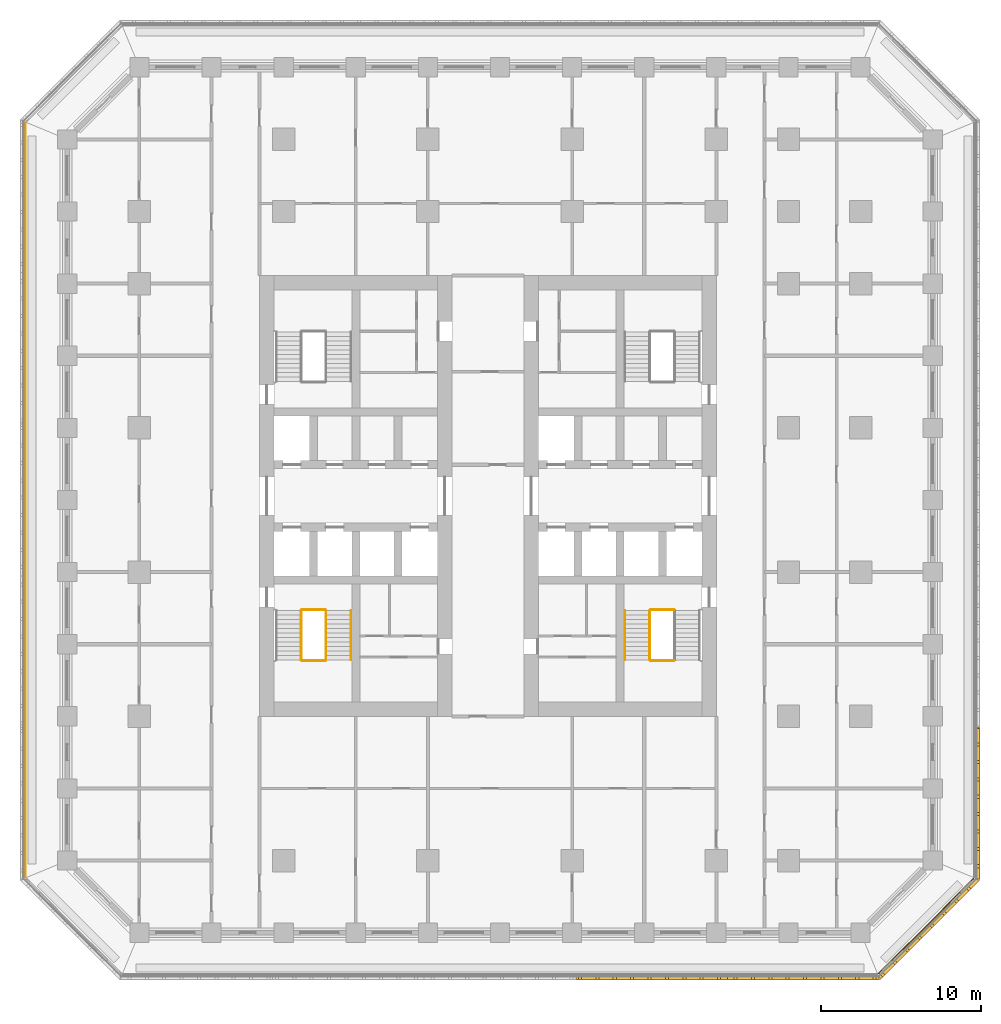
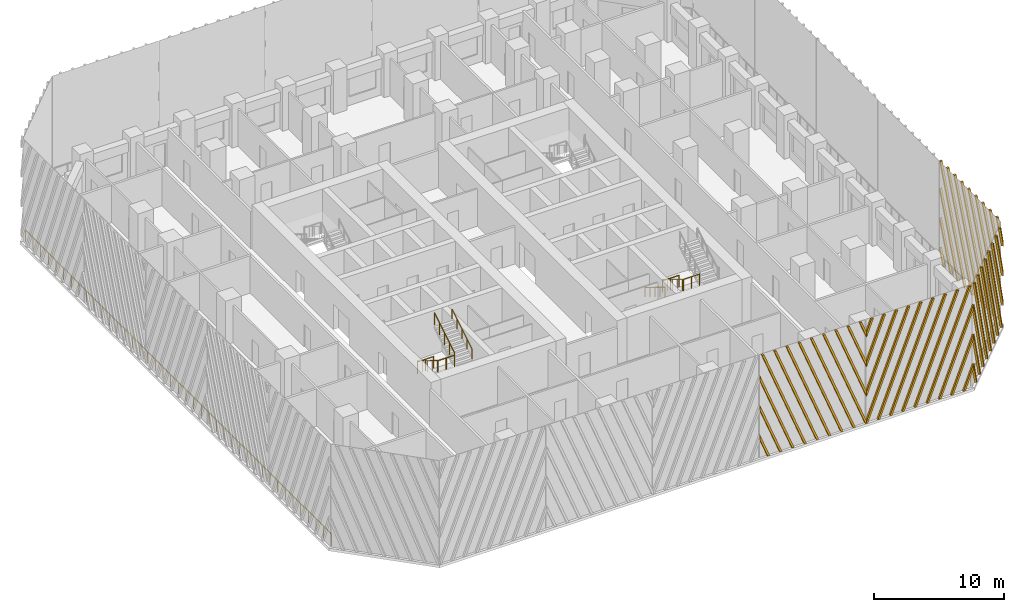
# One storey, part 13 of 20: 11 railings, 4 shading devices.
"""IFC4 building model written with IfcOpenShell, lengths in metres."""

from ifc_helpers import new_model, si_unit, direction, frame, origin, origin_2d, place, context, subcontext, project, spatial, polyline, circle, outline, extrude, source, transform, mapped, material, type_object, element, save


model = new_model("IFC4")

# Units and contexts
model_context = context("Model", 3, precision=1e-05, world=origin(), true_north=direction((0.0, 1.0)))
body_context = subcontext(model_context, "Body", "Model", "MODEL_VIEW")
ifc_project = project(units=[si_unit("LENGTHUNIT", "METRE"), si_unit("AREAUNIT", "SQUARE_METRE"), si_unit("VOLUMEUNIT", "CUBIC_METRE"), si_unit("PLANEANGLEUNIT", "RADIAN"), si_unit("MASSUNIT", "GRAM", prefix="KILO")], contexts=[model_context])

# Site, building, storey
site_placement = place(None, origin())
site = spatial("IfcSite", under=ifc_project, at=site_placement, CompositionType="ELEMENT")
building_placement = place(site_placement, origin())
building = spatial("IfcBuilding", under=site, at=building_placement, Name="Corbel Stack Research Tower", CompositionType="ELEMENT")
storey_placement = place(building_placement, frame((0.0, 0.0, 106.60009765625)))
storey = spatial("IfcBuildingStorey", under=building, at=storey_placement, Name="L24", CompositionType="ELEMENT", Elevation=106.60009765625)

# Railings
ifc_material_1 = material(Name="Steel S355", Category="steel")
railing_type_1 = type_object("IfcRailingType", Name="Stair guard 1100", PredefinedType="GUARDRAIL", material=ifc_material_1)
railing_1_placement = place(storey_placement, frame((-7.89990234375, -2.39990234375, 0.170654296875)))
element("IfcRailing", 1, at=railing_1_placement, inside=storey, type_object=railing_type_1, Name="L24 ST-W1 stair guard 1", PredefinedType="GUARDRAIL", context=body_context, shape_type="SweptSolid", body=[
    extrude(circle(Radius=0.02392578125, at=origin_2d()), frame((0.0, 0.0, 1.076171875), z_axis=(0.0, -0.853666305674, 0.52082035152), x_axis=(1.0, 0.0, 0.0)), (0.0, 0.0, 1.0), 3.608154296875),
    extrude(circle(Radius=0.02099609375, at=origin_2d()), origin(), (0.0, 0.0, 1.0), 1.052001953125),
    extrude(circle(Radius=0.02099609375, at=origin_2d()), frame((0.0, -0.77001953125, 0.4697265625)), (0.0, 0.0, 1.0), 1.052001953125),
    extrude(circle(Radius=0.02099609375, at=origin_2d()), frame((0.0, -1.5400390625, 0.939453125)), (0.0, 0.0, 1.0), 1.052001953125),
    extrude(circle(Radius=0.02099609375, at=origin_2d()), frame((0.0, -2.31005859375, 1.409423828125)), (0.0, 0.0, 1.0), 1.052001953125),
    extrude(circle(Radius=0.02099609375, at=origin_2d()), frame((0.0, -3.080078125, 1.879150390625)), (0.0, 0.0, 1.0), 1.052001953125),
])
railing_2_placement = place(storey_placement, frame((-7.85009765625, -5.530029296875, 2.0498046875)))
element("IfcRailing", 2, at=railing_2_placement, inside=storey, type_object=railing_type_1, Name="L24 ST-W1 stair guard 2", PredefinedType="GUARDRAIL", context=body_context, shape_type="SweptSolid", body=[
    extrude(circle(Radius=0.02392578125, at=origin_2d()), frame((0.0, 0.0, 1.076171875), z_axis=(1.0, 0.0, 0.0), x_axis=(0.0, 1.0, 0.0)), (0.0, 0.0, 1.0), 1.4501953125),
    extrude(circle(Radius=0.02099609375, at=origin_2d()), origin(), (0.0, 0.0, 1.0), 1.052001953125),
    extrude(circle(Radius=0.02099609375, at=origin_2d()), frame((0.72509765625, 0.0, 0.0)), (0.0, 0.0, 1.0), 1.052001953125),
    extrude(circle(Radius=0.02099609375, at=origin_2d()), frame((1.4501953125, 0.0, 0.0)), (0.0, 0.0, 1.0), 1.052001953125),
])
railing_3_placement = place(storey_placement, frame((-6.35009765625, -5.47998046875, 2.220703125)))
element("IfcRailing", 3, at=railing_3_placement, inside=storey, type_object=railing_type_1, Name="L24 ST-W1 stair guard 4", PredefinedType="GUARDRAIL", context=body_context, shape_type="SweptSolid", body=[
    extrude(circle(Radius=0.02392578125, at=origin_2d()), frame((0.0, 0.0, 1.076171875), z_axis=(0.0, 0.853666305674, 0.52082035152), x_axis=(-1.0, 0.0, 0.0)), (0.0, 0.0, 1.0), 3.608154296875),
    extrude(circle(Radius=0.02099609375, at=origin_2d()), origin(), (0.0, 0.0, 1.0), 1.052001953125),
    extrude(circle(Radius=0.02099609375, at=origin_2d()), frame((0.0, 0.77001953125, 0.4697265625)), (0.0, 0.0, 1.0), 1.052001953125),
    extrude(circle(Radius=0.02099609375, at=origin_2d()), frame((0.0, 1.5400390625, 0.939453125)), (0.0, 0.0, 1.0), 1.052001953125),
    extrude(circle(Radius=0.02099609375, at=origin_2d()), frame((0.0, 2.31005859375, 1.409423828125)), (0.0, 0.0, 1.0), 1.052001953125),
    extrude(circle(Radius=0.02099609375, at=origin_2d()), frame((0.0, 3.080078125, 1.879150390625)), (0.0, 0.0, 1.0), 1.052001953125),
])
railing_4_placement = place(storey_placement, frame((-7.85009765625, -2.35009765625, 0.0)))
element("IfcRailing", 4, at=railing_4_placement, inside=storey, type_object=railing_type_1, Name="L24 ST-W1 stair guard 5", PredefinedType="GUARDRAIL", context=body_context, shape_type="SweptSolid", body=[
    extrude(circle(Radius=0.02392578125, at=origin_2d()), frame((0.0, 0.0, 1.076171875), z_axis=(1.0, 0.0, 0.0), x_axis=(0.0, 1.0, 0.0)), (0.0, 0.0, 1.0), 1.4501953125),
    extrude(circle(Radius=0.02099609375, at=origin_2d()), origin(), (0.0, 0.0, 1.0), 1.052001953125),
    extrude(circle(Radius=0.02099609375, at=origin_2d()), frame((0.72509765625, 0.0, 0.0)), (0.0, 0.0, 1.0), 1.052001953125),
    extrude(circle(Radius=0.02099609375, at=origin_2d()), frame((1.4501953125, 0.0, 0.0)), (0.0, 0.0, 1.0), 1.052001953125),
])
railing_5_placement = place(storey_placement, frame((13.85009765625, -2.39990234375, 0.170654296875)))
element("IfcRailing", 5, at=railing_5_placement, inside=storey, type_object=railing_type_1, Name="L24 ST-E1 stair guard 1", PredefinedType="GUARDRAIL", context=body_context, shape_type="SweptSolid", body=[
    extrude(circle(Radius=0.02392578125, at=origin_2d()), frame((0.0, 0.0, 1.076171875), z_axis=(0.0, -0.853666305674, 0.52082035152), x_axis=(1.0, 0.0, 0.0)), (0.0, 0.0, 1.0), 3.608154296875),
    extrude(circle(Radius=0.02099609375, at=origin_2d()), origin(), (0.0, 0.0, 1.0), 1.052001953125),
    extrude(circle(Radius=0.02099609375, at=origin_2d()), frame((0.0, -0.77001953125, 0.4697265625)), (0.0, 0.0, 1.0), 1.052001953125),
    extrude(circle(Radius=0.02099609375, at=origin_2d()), frame((0.0, -1.5400390625, 0.939453125)), (0.0, 0.0, 1.0), 1.052001953125),
    extrude(circle(Radius=0.02099609375, at=origin_2d()), frame((0.0, -2.31005859375, 1.409423828125)), (0.0, 0.0, 1.0), 1.052001953125),
    extrude(circle(Radius=0.02099609375, at=origin_2d()), frame((0.0, -3.080078125, 1.879150390625)), (0.0, 0.0, 1.0), 1.052001953125),
])
for number, where, name in (
    (6, (13.89990234375, -5.530029296875, 2.0498046875), "L24 ST-E1 stair guard 2"),
    (7, (13.89990234375, -2.35009765625, 0.0), "L24 ST-E1 stair guard 5"),
):
    element("IfcRailing", number, at=place(storey_placement, frame(where)), inside=storey, type_object=railing_type_1, Name=name, PredefinedType="GUARDRAIL", context=body_context, shape_type="SweptSolid", body=[
        extrude(circle(Radius=0.02392578125, at=origin_2d()), frame((0.0, 0.0, 1.076171875), z_axis=(1.0, 0.0, 0.0), x_axis=(0.0, 1.0, 0.0)), (0.0, 0.0, 1.0), 1.4501953125),
        extrude(circle(Radius=0.02099609375, at=origin_2d()), origin(), (0.0, 0.0, 1.0), 1.052001953125),
        extrude(circle(Radius=0.02099609375, at=origin_2d()), frame((0.72509765625, 0.0, 0.0)), (0.0, 0.0, 1.0), 1.052001953125),
        extrude(circle(Radius=0.02099609375, at=origin_2d()), frame((1.4501953125, 0.0, 0.0)), (0.0, 0.0, 1.0), 1.052001953125),
    ])
ifc_material_2 = material(Name="Steel S355", Category="steel")
railing_type_2 = type_object("IfcRailingType", Name="Stair handrail 900", PredefinedType="HANDRAIL", material=ifc_material_2)
railing_6_placement = place(storey_placement, frame((-4.800048828125, -5.47998046875, 2.220703125)))
element("IfcRailing", 8, at=railing_6_placement, inside=storey, type_object=railing_type_2, Name="L24 ST-W1 stair handrail 2", PredefinedType="HANDRAIL", context=body_context, shape_type="SweptSolid", body=[
    extrude(circle(Radius=0.02392578125, at=origin_2d()), frame((0.0, 0.0, 0.8759765625), z_axis=(0.0, 0.853666305674, 0.52082035152), x_axis=(-1.0, 0.0, 0.0)), (0.0, 0.0, 1.0), 3.608154296875),
    extrude(circle(Radius=0.02099609375, at=origin_2d()), origin(), (0.0, 0.0, 1.0), 0.851806640625),
    extrude(circle(Radius=0.02099609375, at=origin_2d()), frame((0.0, 0.77001953125, 0.4697265625)), (0.0, 0.0, 1.0), 0.851806640625),
    extrude(circle(Radius=0.02099609375, at=origin_2d()), frame((0.0, 1.5400390625, 0.939453125)), (0.0, 0.0, 1.0), 0.851806640625),
    extrude(circle(Radius=0.02099609375, at=origin_2d()), frame((0.0, 2.31005859375, 1.409423828125)), (0.0, 0.0, 1.0), 0.851806640625),
    extrude(circle(Radius=0.02099609375, at=origin_2d()), frame((0.0, 3.080078125, 1.879150390625)), (0.0, 0.0, 1.0), 0.851806640625),
])
railing_7_placement = place(storey_placement, frame((12.300048828125, -2.39990234375, 0.170654296875)))
element("IfcRailing", 9, at=railing_7_placement, inside=storey, type_object=railing_type_2, Name="L24 ST-E1 stair handrail 1", PredefinedType="HANDRAIL", context=body_context, shape_type="SweptSolid", body=[
    extrude(circle(Radius=0.02392578125, at=origin_2d()), frame((0.0, 0.0, 0.8759765625), z_axis=(0.0, -0.853666305674, 0.52082035152), x_axis=(1.0, 0.0, 0.0)), (0.0, 0.0, 1.0), 3.608154296875),
    extrude(circle(Radius=0.02099609375, at=origin_2d()), origin(), (0.0, 0.0, 1.0), 0.851806640625),
    extrude(circle(Radius=0.02099609375, at=origin_2d()), frame((0.0, -0.77001953125, 0.4697265625)), (0.0, 0.0, 1.0), 0.851806640625),
    extrude(circle(Radius=0.02099609375, at=origin_2d()), frame((0.0, -1.5400390625, 0.939453125)), (0.0, 0.0, 1.0), 0.851806640625),
    extrude(circle(Radius=0.02099609375, at=origin_2d()), frame((0.0, -2.31005859375, 1.409423828125)), (0.0, 0.0, 1.0), 0.851806640625),
    extrude(circle(Radius=0.02099609375, at=origin_2d()), frame((0.0, -3.080078125, 1.879150390625)), (0.0, 0.0, 1.0), 0.851806640625),
])
ifc_material_3 = material(Name="Powder-coated steel guard", Category="steel")
railing_type_3 = type_object("IfcRailingType", Name="Steel and glass guard 1100", PredefinedType="GUARDRAIL", material=ifc_material_3)
railing_8_placement = place(storey_placement, frame((28.127685546875, -25.04931640625, 0.0)))
element("IfcRailing", 10, at=railing_8_placement, inside=storey, type_object=railing_type_3, Name="Loggia guard L24 SE", PredefinedType="GUARDRAIL", context=body_context, shape_type="SweptSolid", body=[
    extrude(circle(Radius=0.02392578125, at=origin_2d()), frame((0.0, 0.0, 1.076171875), z_axis=(0.707106781187, 0.707106781187, 0.0), x_axis=(-0.707106781187, 0.707106781187, 0.0)), (0.0, 0.0, 1.0), 8.37451171875),
    extrude(circle(Radius=0.02099609375, at=origin_2d()), origin(), (0.0, 0.0, 1.0), 1.052001953125),
    extrude(circle(Radius=0.02099609375, at=origin_2d()), frame((0.845947265625, 0.845947265625, 0.0)), (0.0, 0.0, 1.0), 1.052001953125),
    extrude(circle(Radius=0.02099609375, at=origin_2d()), frame((1.69189453125, 1.69189453125, 0.0)), (0.0, 0.0, 1.0), 1.052001953125),
    extrude(circle(Radius=0.02099609375, at=origin_2d()), frame((2.537841796875, 2.537841796875, 0.0)), (0.0, 0.0, 1.0), 1.052001953125),
    extrude(circle(Radius=0.02099609375, at=origin_2d()), frame((3.3837890625, 3.3837890625, 0.0)), (0.0, 0.0, 1.0), 1.052001953125),
    extrude(circle(Radius=0.02099609375, at=origin_2d()), frame((4.229736328125, 4.229736328125, 0.0)), (0.0, 0.0, 1.0), 1.052001953125),
    extrude(circle(Radius=0.02099609375, at=origin_2d()), frame((5.07568359375, 5.07568359375, 0.0)), (0.0, 0.0, 1.0), 1.052001953125),
    extrude(circle(Radius=0.02099609375, at=origin_2d()), frame((5.921630859375, 5.921630859375, 0.0)), (0.0, 0.0, 1.0), 1.052001953125),
])
railing_9_placement = place(storey_placement, frame((-25.10009765625, 28.00537109375, 0.0)))
element("IfcRailing", 11, at=railing_9_placement, inside=storey, type_object=railing_type_3, Name="Loggia guard L24 W", PredefinedType="GUARDRAIL", context=body_context, shape_type="SweptSolid", body=[
    extrude(circle(Radius=0.02392578125, at=origin_2d()), frame((0.0, 0.0, 1.076171875), z_axis=(0.0, -1.0, 0.0), x_axis=(1.0, 0.0, 0.0)), (0.0, 0.0, 1.0), 47.0107421875),
    extrude(circle(Radius=0.02099609375, at=origin_2d()), origin(), (0.0, 0.0, 1.0), 1.052001953125),
    extrude(circle(Radius=0.02099609375, at=origin_2d()), frame((0.0, -1.17529296875, 0.0)), (0.0, 0.0, 1.0), 1.052001953125),
    extrude(circle(Radius=0.02099609375, at=origin_2d()), frame((0.0, -2.3505859375, 0.0)), (0.0, 0.0, 1.0), 1.052001953125),
    extrude(circle(Radius=0.02099609375, at=origin_2d()), frame((0.0, -3.52587890625, 0.0)), (0.0, 0.0, 1.0), 1.052001953125),
    extrude(circle(Radius=0.02099609375, at=origin_2d()), frame((0.0, -4.701171875, 0.0)), (0.0, 0.0, 1.0), 1.052001953125),
    extrude(circle(Radius=0.02099609375, at=origin_2d()), frame((0.0, -5.87646484375, 0.0)), (0.0, 0.0, 1.0), 1.052001953125),
    extrude(circle(Radius=0.02099609375, at=origin_2d()), frame((0.0, -7.051513671875, 0.0)), (0.0, 0.0, 1.0), 1.052001953125),
    extrude(circle(Radius=0.02099609375, at=origin_2d()), frame((0.0, -8.226806640625, 0.0)), (0.0, 0.0, 1.0), 1.052001953125),
    extrude(circle(Radius=0.02099609375, at=origin_2d()), frame((0.0, -9.402099609375, 0.0)), (0.0, 0.0, 1.0), 1.052001953125),
    extrude(circle(Radius=0.02099609375, at=origin_2d()), frame((0.0, -10.577392578125, 0.0)), (0.0, 0.0, 1.0), 1.052001953125),
    extrude(circle(Radius=0.02099609375, at=origin_2d()), frame((0.0, -11.752685546875, 0.0)), (0.0, 0.0, 1.0), 1.052001953125),
    extrude(circle(Radius=0.02099609375, at=origin_2d()), frame((0.0, -12.927978515625, 0.0)), (0.0, 0.0, 1.0), 1.052001953125),
    extrude(circle(Radius=0.02099609375, at=origin_2d()), frame((0.0, -14.103271484375, 0.0)), (0.0, 0.0, 1.0), 1.052001953125),
    extrude(circle(Radius=0.02099609375, at=origin_2d()), frame((0.0, -15.278564453125, 0.0)), (0.0, 0.0, 1.0), 1.052001953125),
    extrude(circle(Radius=0.02099609375, at=origin_2d()), frame((0.0, -16.453857421875, 0.0)), (0.0, 0.0, 1.0), 1.052001953125),
    extrude(circle(Radius=0.02099609375, at=origin_2d()), frame((0.0, -17.62890625, 0.0)), (0.0, 0.0, 1.0), 1.052001953125),
    extrude(circle(Radius=0.02099609375, at=origin_2d()), frame((0.0, -18.80419921875, 0.0)), (0.0, 0.0, 1.0), 1.052001953125),
    extrude(circle(Radius=0.02099609375, at=origin_2d()), frame((0.0, -19.9794921875, 0.0)), (0.0, 0.0, 1.0), 1.052001953125),
    extrude(circle(Radius=0.02099609375, at=origin_2d()), frame((0.0, -21.15478515625, 0.0)), (0.0, 0.0, 1.0), 1.052001953125),
    extrude(circle(Radius=0.02099609375, at=origin_2d()), frame((0.0, -22.330078125, 0.0)), (0.0, 0.0, 1.0), 1.052001953125),
    extrude(circle(Radius=0.02099609375, at=origin_2d()), frame((0.0, -23.50537109375, 0.0)), (0.0, 0.0, 1.0), 1.052001953125),
    extrude(circle(Radius=0.02099609375, at=origin_2d()), frame((0.0, -24.6806640625, 0.0)), (0.0, 0.0, 1.0), 1.052001953125),
    extrude(circle(Radius=0.02099609375, at=origin_2d()), frame((0.0, -25.85595703125, 0.0)), (0.0, 0.0, 1.0), 1.052001953125),
    extrude(circle(Radius=0.02099609375, at=origin_2d()), frame((0.0, -27.03125, 0.0)), (0.0, 0.0, 1.0), 1.052001953125),
    extrude(circle(Radius=0.02099609375, at=origin_2d()), frame((0.0, -28.20654296875, 0.0)), (0.0, 0.0, 1.0), 1.052001953125),
    extrude(circle(Radius=0.02099609375, at=origin_2d()), frame((0.0, -29.3818359375, 0.0)), (0.0, 0.0, 1.0), 1.052001953125),
    extrude(circle(Radius=0.02099609375, at=origin_2d()), frame((0.0, -30.556884765625, 0.0)), (0.0, 0.0, 1.0), 1.052001953125),
    extrude(circle(Radius=0.02099609375, at=origin_2d()), frame((0.0, -31.732177734375, 0.0)), (0.0, 0.0, 1.0), 1.052001953125),
    extrude(circle(Radius=0.02099609375, at=origin_2d()), frame((0.0, -32.907470703125, 0.0)), (0.0, 0.0, 1.0), 1.052001953125),
    extrude(circle(Radius=0.02099609375, at=origin_2d()), frame((0.0, -34.082763671875, 0.0)), (0.0, 0.0, 1.0), 1.052001953125),
    extrude(circle(Radius=0.02099609375, at=origin_2d()), frame((0.0, -35.258056640625, 0.0)), (0.0, 0.0, 1.0), 1.052001953125),
    extrude(circle(Radius=0.02099609375, at=origin_2d()), frame((0.0, -36.433349609375, 0.0)), (0.0, 0.0, 1.0), 1.052001953125),
    extrude(circle(Radius=0.02099609375, at=origin_2d()), frame((0.0, -37.608642578125, 0.0)), (0.0, 0.0, 1.0), 1.052001953125),
    extrude(circle(Radius=0.02099609375, at=origin_2d()), frame((0.0, -38.783935546875, 0.0)), (0.0, 0.0, 1.0), 1.052001953125),
    extrude(circle(Radius=0.02099609375, at=origin_2d()), frame((0.0, -39.959228515625, 0.0)), (0.0, 0.0, 1.0), 1.052001953125),
    extrude(circle(Radius=0.02099609375, at=origin_2d()), frame((0.0, -41.13427734375, 0.0)), (0.0, 0.0, 1.0), 1.052001953125),
    extrude(circle(Radius=0.02099609375, at=origin_2d()), frame((0.0, -42.3095703125, 0.0)), (0.0, 0.0, 1.0), 1.052001953125),
    extrude(circle(Radius=0.02099609375, at=origin_2d()), frame((0.0, -43.48486328125, 0.0)), (0.0, 0.0, 1.0), 1.052001953125),
    extrude(circle(Radius=0.02099609375, at=origin_2d()), frame((0.0, -44.66015625, 0.0)), (0.0, 0.0, 1.0), 1.052001953125),
    extrude(circle(Radius=0.02099609375, at=origin_2d()), frame((0.0, -45.83544921875, 0.0)), (0.0, 0.0, 1.0), 1.052001953125),
    extrude(circle(Radius=0.02099609375, at=origin_2d()), frame((0.0, -47.0107421875, 0.0)), (0.0, 0.0, 1.0), 1.052001953125),
])

# Shading devices
ifc_material_4 = material(Name="Precast terracotta", Category="masonry")
shading_device_type = type_object("IfcShadingDeviceType", Name="Terracotta screen panel", PredefinedType="USERDEFINED", material=ifc_material_4)
shared_shape_1 = source(origin(), body_context, "Body", "SweptSolid", [
    extrude(outline(polyline([(0.60986328125, 9.64990234375), (0.419921875, 9.64990234375), (0.0, 8.5751953125), (0.0, 8.088623046875), (0.60986328125, 9.64990234375)])), frame((0.0, 0.0, 0.0), z_axis=(0.0, -1.0, 0.0), x_axis=(1.0, 0.0, 0.0)), (0.0, 0.0, 1.0), 0.179931640625),
    extrude(outline(polyline([(1.694580078125, 9.64990234375), (1.50439453125, 9.64990234375), (0.0, 5.7978515625), (0.0, 5.311279296875), (1.694580078125, 9.64990234375)])), frame((0.0, 0.0, 0.0), z_axis=(0.0, -1.0, 0.0), x_axis=(1.0, 0.0, 0.0)), (0.0, 0.0, 1.0), 0.179931640625),
    extrude(outline(polyline([(2.779052734375, 9.64990234375), (2.589111328125, 9.64990234375), (0.0, 3.0205078125), (0.0, 2.533935546875), (2.779052734375, 9.64990234375)])), frame((0.0, 0.0, 0.0), z_axis=(0.0, -1.0, 0.0), x_axis=(1.0, 0.0, 0.0)), (0.0, 0.0, 1.0), 0.179931640625),
    extrude(outline(polyline([(0.094970703125, 0.0), (3.86376953125, 9.64990234375), (3.673828125, 9.64990234375), (0.0, 0.2431640625), (0.0, 0.0), (0.094970703125, 0.0)])), frame((0.0, 0.0, 0.0), z_axis=(0.0, -1.0, 0.0), x_axis=(1.0, 0.0, 0.0)), (0.0, 0.0, 1.0), 0.179931640625),
    extrude(outline(polyline([(1.1796875, 0.0), (4.948486328125, 9.64990234375), (4.75830078125, 9.64990234375), (0.98974609375, 0.0), (1.1796875, 0.0)])), frame((0.0, 0.0, 0.0), z_axis=(0.0, -1.0, 0.0), x_axis=(1.0, 0.0, 0.0)), (0.0, 0.0, 1.0), 0.179931640625),
    extrude(outline(polyline([(2.264404296875, 0.0), (6.033203125, 9.64990234375), (5.843017578125, 9.64990234375), (2.07421875, 0.0), (2.264404296875, 0.0)])), frame((0.0, 0.0, 0.0), z_axis=(0.0, -1.0, 0.0), x_axis=(1.0, 0.0, 0.0)), (0.0, 0.0, 1.0), 0.179931640625),
    extrude(outline(polyline([(3.34912109375, 0.0), (7.117919921875, 9.64990234375), (6.927734375, 9.64990234375), (3.158935546875, 0.0), (3.34912109375, 0.0)])), frame((0.0, 0.0, 0.0), z_axis=(0.0, -1.0, 0.0), x_axis=(1.0, 0.0, 0.0)), (0.0, 0.0, 1.0), 0.179931640625),
    extrude(outline(polyline([(4.43359375, 0.0), (8.202392578125, 9.64990234375), (8.012451171875, 9.64990234375), (4.24365234375, 0.0), (4.43359375, 0.0)])), frame((0.0, 0.0, 0.0), z_axis=(0.0, -1.0, 0.0), x_axis=(1.0, 0.0, 0.0)), (0.0, 0.0, 1.0), 0.179931640625),
    extrude(outline(polyline([(5.518310546875, 0.0), (9.287109375, 9.64990234375), (9.09716796875, 9.64990234375), (5.328369140625, 0.0), (5.518310546875, 0.0)])), frame((0.0, 0.0, 0.0), z_axis=(0.0, -1.0, 0.0), x_axis=(1.0, 0.0, 0.0)), (0.0, 0.0, 1.0), 0.179931640625),
    extrude(outline(polyline([(6.60302734375, 0.0), (9.45556640625, 7.30419921875), (9.45556640625, 7.790771484375), (6.4130859375, 0.0), (6.60302734375, 0.0)])), frame((0.0, 0.0, 0.0), z_axis=(0.0, -1.0, 0.0), x_axis=(1.0, 0.0, 0.0)), (0.0, 0.0, 1.0), 0.179931640625),
    extrude(outline(polyline([(7.687744140625, 0.0), (9.45556640625, 4.52685546875), (9.45556640625, 5.013427734375), (7.497802734375, 0.0), (7.687744140625, 0.0)])), frame((0.0, 0.0, 0.0), z_axis=(0.0, -1.0, 0.0), x_axis=(1.0, 0.0, 0.0)), (0.0, 0.0, 1.0), 0.179931640625),
    extrude(outline(polyline([(8.772216796875, 0.0), (9.45556640625, 1.74951171875), (9.45556640625, 2.236083984375), (8.582275390625, 0.0), (8.772216796875, 0.0)])), frame((0.0, 0.0, 0.0), z_axis=(0.0, -1.0, 0.0), x_axis=(1.0, 0.0, 0.0)), (0.0, 0.0, 1.0), 0.179931640625),
])
shading_device_1_placement = place(storey_placement, frame((18.68359375, -25.25, 0.0), z_axis=(0.0, 0.0, 1.0), x_axis=(1.0, 0.0, 0.0)))
element("IfcShadingDevice", 12, at=shading_device_1_placement, inside=storey, type_object=shading_device_type, Name="Terracotta screen L24 S5", ObjectType="SCREEN", PredefinedType="USERDEFINED", context=body_context, shape_type="MappedRepresentation", body=[
    mapped(shared_shape_1, transform((0.0, 0.0, 0.0))),
])
shared_shape_2 = source(origin(), body_context, "Body", "SweptSolid", [
    extrude(outline(polyline([(0.873291015625, 0.0), (0.0, 2.236083984375), (0.0, 1.74951171875), (0.683349609375, 0.0), (0.873291015625, 0.0)])), frame((0.0, 0.0, 0.0), z_axis=(0.0, -1.0, 0.0), x_axis=(1.0, 0.0, 0.0)), (0.0, 0.0, 1.0), 0.179931640625),
    extrude(outline(polyline([(1.9580078125, 0.0), (0.0, 5.013427734375), (0.0, 4.52685546875), (1.76806640625, 0.0), (1.9580078125, 0.0)])), frame((0.0, 0.0, 0.0), z_axis=(0.0, -1.0, 0.0), x_axis=(1.0, 0.0, 0.0)), (0.0, 0.0, 1.0), 0.179931640625),
    extrude(outline(polyline([(3.04248046875, 0.0), (0.0, 7.790771484375), (0.0, 7.30419921875), (2.8525390625, 0.0), (3.04248046875, 0.0)])), frame((0.0, 0.0, 0.0), z_axis=(0.0, -1.0, 0.0), x_axis=(1.0, 0.0, 0.0)), (0.0, 0.0, 1.0), 0.179931640625),
    extrude(outline(polyline([(4.127197265625, 0.0), (0.3583984375, 9.64990234375), (0.16845703125, 9.64990234375), (3.937255859375, 0.0), (4.127197265625, 0.0)])), frame((0.0, 0.0, 0.0), z_axis=(0.0, -1.0, 0.0), x_axis=(1.0, 0.0, 0.0)), (0.0, 0.0, 1.0), 0.179931640625),
    extrude(outline(polyline([(5.2119140625, 0.0), (1.443115234375, 9.64990234375), (1.253173828125, 9.64990234375), (5.02197265625, 0.0), (5.2119140625, 0.0)])), frame((0.0, 0.0, 0.0), z_axis=(0.0, -1.0, 0.0), x_axis=(1.0, 0.0, 0.0)), (0.0, 0.0, 1.0), 0.179931640625),
    extrude(outline(polyline([(6.296630859375, 0.0), (2.52783203125, 9.64990234375), (2.337890625, 9.64990234375), (6.106689453125, 0.0), (6.296630859375, 0.0)])), frame((0.0, 0.0, 0.0), z_axis=(0.0, -1.0, 0.0), x_axis=(1.0, 0.0, 0.0)), (0.0, 0.0, 1.0), 0.179931640625),
    extrude(outline(polyline([(7.38134765625, 0.0), (3.612548828125, 9.64990234375), (3.422607421875, 9.64990234375), (7.19140625, 0.0), (7.38134765625, 0.0)])), frame((0.0, 0.0, 0.0), z_axis=(0.0, -1.0, 0.0), x_axis=(1.0, 0.0, 0.0)), (0.0, 0.0, 1.0), 0.179931640625),
    extrude(outline(polyline([(8.466064453125, 0.0), (4.697265625, 9.64990234375), (4.507080078125, 9.64990234375), (8.27587890625, 0.0), (8.466064453125, 0.0)])), frame((0.0, 0.0, 0.0), z_axis=(0.0, -1.0, 0.0), x_axis=(1.0, 0.0, 0.0)), (0.0, 0.0, 1.0), 0.179931640625),
    extrude(outline(polyline([(9.45556640625, 0.0), (9.45556640625, 0.2431640625), (5.781982421875, 9.64990234375), (5.591796875, 9.64990234375), (9.360595703125, 0.0), (9.45556640625, 0.0)])), frame((0.0, 0.0, 0.0), z_axis=(0.0, -1.0, 0.0), x_axis=(1.0, 0.0, 0.0)), (0.0, 0.0, 1.0), 0.179931640625),
    extrude(outline(polyline([(6.866455078125, 9.64990234375), (6.676513671875, 9.64990234375), (9.45556640625, 2.533935546875), (9.45556640625, 3.0205078125), (6.866455078125, 9.64990234375)])), frame((0.0, 0.0, 0.0), z_axis=(0.0, -1.0, 0.0), x_axis=(1.0, 0.0, 0.0)), (0.0, 0.0, 1.0), 0.179931640625),
    extrude(outline(polyline([(7.951171875, 9.64990234375), (7.76123046875, 9.64990234375), (9.45556640625, 5.311279296875), (9.45556640625, 5.7978515625), (7.951171875, 9.64990234375)])), frame((0.0, 0.0, 0.0), z_axis=(0.0, -1.0, 0.0), x_axis=(1.0, 0.0, 0.0)), (0.0, 0.0, 1.0), 0.179931640625),
    extrude(outline(polyline([(9.035888671875, 9.64990234375), (8.845947265625, 9.64990234375), (9.45556640625, 8.088623046875), (9.45556640625, 8.5751953125), (9.035888671875, 9.64990234375)])), frame((0.0, 0.0, 0.0), z_axis=(0.0, -1.0, 0.0), x_axis=(1.0, 0.0, 0.0)), (0.0, 0.0, 1.0), 0.179931640625),
])
shading_device_2_placement = place(storey_placement, frame((9.227783203125, -25.25, 0.0), z_axis=(0.0, 0.0, 1.0), x_axis=(1.0, 0.0, 0.0)))
element("IfcShadingDevice", 13, at=shading_device_2_placement, inside=storey, type_object=shading_device_type, Name="Terracotta screen L24 S4", ObjectType="SCREEN", PredefinedType="USERDEFINED", context=body_context, shape_type="MappedRepresentation", body=[
    mapped(shared_shape_2, transform((0.0, 0.0, 0.0))),
])
shared_shape_3 = source(origin(), body_context, "Body", "SweptSolid", [
    extrude(outline(polyline([(0.873291015625, 0.0), (0.0, 2.236083984375), (0.0, 1.74951171875), (0.683349609375, 0.0), (0.873291015625, 0.0)])), frame((0.0, 0.0, 0.0), z_axis=(0.0, -1.0, 0.0), x_axis=(1.0, 0.0, 0.0)), (0.0, 0.0, 1.0), 0.179931640625),
    extrude(outline(polyline([(1.9580078125, 0.0), (0.0, 5.013427734375), (0.0, 4.52685546875), (1.76806640625, 0.0), (1.9580078125, 0.0)])), frame((0.0, 0.0, 0.0), z_axis=(0.0, -1.0, 0.0), x_axis=(1.0, 0.0, 0.0)), (0.0, 0.0, 1.0), 0.179931640625),
    extrude(outline(polyline([(3.04248046875, 0.0), (0.0, 7.790771484375), (0.0, 7.30419921875), (2.8525390625, 0.0), (3.04248046875, 0.0)])), frame((0.0, 0.0, 0.0), z_axis=(0.0, -1.0, 0.0), x_axis=(1.0, 0.0, 0.0)), (0.0, 0.0, 1.0), 0.179931640625),
    extrude(outline(polyline([(4.127197265625, 0.0), (0.3583984375, 9.64990234375), (0.16845703125, 9.64990234375), (3.937255859375, 0.0), (4.127197265625, 0.0)])), frame((0.0, 0.0, 0.0), z_axis=(0.0, -1.0, 0.0), x_axis=(1.0, 0.0, 0.0)), (0.0, 0.0, 1.0), 0.179931640625),
    extrude(outline(polyline([(5.2119140625, 0.0), (1.443115234375, 9.64990234375), (1.253173828125, 9.64990234375), (5.02197265625, 0.0), (5.2119140625, 0.0)])), frame((0.0, 0.0, 0.0), z_axis=(0.0, -1.0, 0.0), x_axis=(1.0, 0.0, 0.0)), (0.0, 0.0, 1.0), 0.179931640625),
    extrude(outline(polyline([(6.296630859375, 0.0), (2.52783203125, 9.64990234375), (2.337890625, 9.64990234375), (6.106689453125, 0.0), (6.296630859375, 0.0)])), frame((0.0, 0.0, 0.0), z_axis=(0.0, -1.0, 0.0), x_axis=(1.0, 0.0, 0.0)), (0.0, 0.0, 1.0), 0.179931640625),
    extrude(outline(polyline([(7.38134765625, 0.0), (3.612548828125, 9.64990234375), (3.422607421875, 9.64990234375), (7.19140625, 0.0), (7.38134765625, 0.0)])), frame((0.0, 0.0, 0.0), z_axis=(0.0, -1.0, 0.0), x_axis=(1.0, 0.0, 0.0)), (0.0, 0.0, 1.0), 0.179931640625),
    extrude(outline(polyline([(8.466064453125, 0.0), (4.697265625, 9.64990234375), (4.507080078125, 9.64990234375), (8.27587890625, 0.0), (8.466064453125, 0.0)])), frame((0.0, 0.0, 0.0), z_axis=(0.0, -1.0, 0.0), x_axis=(1.0, 0.0, 0.0)), (0.0, 0.0, 1.0), 0.179931640625),
    extrude(outline(polyline([(5.781982421875, 9.64990234375), (5.591796875, 9.64990234375), (8.64208984375, 1.839599609375), (8.64208984375, 2.326171875), (5.781982421875, 9.64990234375)])), frame((0.0, 0.0, 0.0), z_axis=(0.0, -1.0, 0.0), x_axis=(1.0, 0.0, 0.0)), (0.0, 0.0, 1.0), 0.179931640625),
    extrude(outline(polyline([(6.866455078125, 9.64990234375), (6.676513671875, 9.64990234375), (8.64208984375, 4.616943359375), (8.64208984375, 5.103515625), (6.866455078125, 9.64990234375)])), frame((0.0, 0.0, 0.0), z_axis=(0.0, -1.0, 0.0), x_axis=(1.0, 0.0, 0.0)), (0.0, 0.0, 1.0), 0.179931640625),
    extrude(outline(polyline([(7.951171875, 9.64990234375), (7.76123046875, 9.64990234375), (8.64208984375, 7.394287109375), (8.64208984375, 7.880859375), (7.951171875, 9.64990234375)])), frame((0.0, 0.0, 0.0), z_axis=(0.0, -1.0, 0.0), x_axis=(1.0, 0.0, 0.0)), (0.0, 0.0, 1.0), 0.179931640625),
])
shading_device_3_placement = place(storey_placement, frame((28.13916015625, -25.25, 0.0), z_axis=(0.0, 0.0, 1.0), x_axis=(0.707106781187, 0.707106781187, 0.0)))
element("IfcShadingDevice", 14, at=shading_device_3_placement, inside=storey, type_object=shading_device_type, Name="Terracotta screen L24 SE1", ObjectType="SCREEN", PredefinedType="USERDEFINED", context=body_context, shape_type="MappedRepresentation", body=[
    mapped(shared_shape_3, transform((0.0, 0.0, 0.0))),
])
shared_shape_4 = source(origin(), body_context, "Body", "SweptSolid", [
    extrude(outline(polyline([(0.881103515625, 9.64990234375), (0.69091796875, 9.64990234375), (0.0, 7.880859375), (0.0, 7.394287109375), (0.881103515625, 9.64990234375)])), frame((0.0, 0.0, 0.0), z_axis=(0.0, -1.0, 0.0), x_axis=(1.0, 0.0, 0.0)), (0.0, 0.0, 1.0), 0.179931640625),
    extrude(outline(polyline([(1.965576171875, 9.64990234375), (1.775634765625, 9.64990234375), (0.0, 5.103515625), (0.0, 4.616943359375), (1.965576171875, 9.64990234375)])), frame((0.0, 0.0, 0.0), z_axis=(0.0, -1.0, 0.0), x_axis=(1.0, 0.0, 0.0)), (0.0, 0.0, 1.0), 0.179931640625),
    extrude(outline(polyline([(3.05029296875, 9.64990234375), (2.8603515625, 9.64990234375), (0.0, 2.326171875), (0.0, 1.839599609375), (3.05029296875, 9.64990234375)])), frame((0.0, 0.0, 0.0), z_axis=(0.0, -1.0, 0.0), x_axis=(1.0, 0.0, 0.0)), (0.0, 0.0, 1.0), 0.179931640625),
    extrude(outline(polyline([(0.3662109375, 0.0), (4.135009765625, 9.64990234375), (3.94482421875, 9.64990234375), (0.17626953125, 0.0), (0.3662109375, 0.0)])), frame((0.0, 0.0, 0.0), z_axis=(0.0, -1.0, 0.0), x_axis=(1.0, 0.0, 0.0)), (0.0, 0.0, 1.0), 0.179931640625),
    extrude(outline(polyline([(1.45068359375, 0.0), (5.219482421875, 9.64990234375), (5.029541015625, 9.64990234375), (1.2607421875, 0.0), (1.45068359375, 0.0)])), frame((0.0, 0.0, 0.0), z_axis=(0.0, -1.0, 0.0), x_axis=(1.0, 0.0, 0.0)), (0.0, 0.0, 1.0), 0.179931640625),
    extrude(outline(polyline([(2.535400390625, 0.0), (6.30419921875, 9.64990234375), (6.1142578125, 9.64990234375), (2.345458984375, 0.0), (2.535400390625, 0.0)])), frame((0.0, 0.0, 0.0), z_axis=(0.0, -1.0, 0.0), x_axis=(1.0, 0.0, 0.0)), (0.0, 0.0, 1.0), 0.179931640625),
    extrude(outline(polyline([(3.6201171875, 0.0), (7.388916015625, 9.64990234375), (7.198974609375, 9.64990234375), (3.43017578125, 0.0), (3.6201171875, 0.0)])), frame((0.0, 0.0, 0.0), z_axis=(0.0, -1.0, 0.0), x_axis=(1.0, 0.0, 0.0)), (0.0, 0.0, 1.0), 0.179931640625),
    extrude(outline(polyline([(4.704833984375, 0.0), (8.4736328125, 9.64990234375), (8.28369140625, 9.64990234375), (4.514892578125, 0.0), (4.704833984375, 0.0)])), frame((0.0, 0.0, 0.0), z_axis=(0.0, -1.0, 0.0), x_axis=(1.0, 0.0, 0.0)), (0.0, 0.0, 1.0), 0.179931640625),
    extrude(outline(polyline([(5.78955078125, 0.0), (9.45556640625, 9.38720703125), (9.45556640625, 9.64990234375), (9.368408203125, 9.64990234375), (5.599609375, 0.0), (5.78955078125, 0.0)])), frame((0.0, 0.0, 0.0), z_axis=(0.0, -1.0, 0.0), x_axis=(1.0, 0.0, 0.0)), (0.0, 0.0, 1.0), 0.179931640625),
    extrude(outline(polyline([(6.874267578125, 0.0), (9.45556640625, 6.60986328125), (9.45556640625, 7.096435546875), (6.68408203125, 0.0), (6.874267578125, 0.0)])), frame((0.0, 0.0, 0.0), z_axis=(0.0, -1.0, 0.0), x_axis=(1.0, 0.0, 0.0)), (0.0, 0.0, 1.0), 0.179931640625),
    extrude(outline(polyline([(7.958740234375, 0.0), (9.45556640625, 3.83251953125), (9.45556640625, 4.319091796875), (7.768798828125, 0.0), (7.958740234375, 0.0)])), frame((0.0, 0.0, 0.0), z_axis=(0.0, -1.0, 0.0), x_axis=(1.0, 0.0, 0.0)), (0.0, 0.0, 1.0), 0.179931640625),
    extrude(outline(polyline([(9.04345703125, 0.0), (9.45556640625, 1.055419921875), (9.45556640625, 1.541748046875), (8.853515625, 0.0), (9.04345703125, 0.0)])), frame((0.0, 0.0, 0.0), z_axis=(0.0, -1.0, 0.0), x_axis=(1.0, 0.0, 0.0)), (0.0, 0.0, 1.0), 0.179931640625),
])
shading_device_4_placement = place(storey_placement, frame((34.25, -19.13916015625, 0.0), z_axis=(0.0, 0.0, 1.0), x_axis=(0.0, 1.0, 0.0)))
element("IfcShadingDevice", 15, at=shading_device_4_placement, inside=storey, type_object=shading_device_type, Name="Terracotta screen L24 E1", ObjectType="SCREEN", PredefinedType="USERDEFINED", context=body_context, shape_type="MappedRepresentation", body=[
    mapped(shared_shape_4, transform((0.0, 0.0, 0.0))),
])

save(model, "model.ifc")
